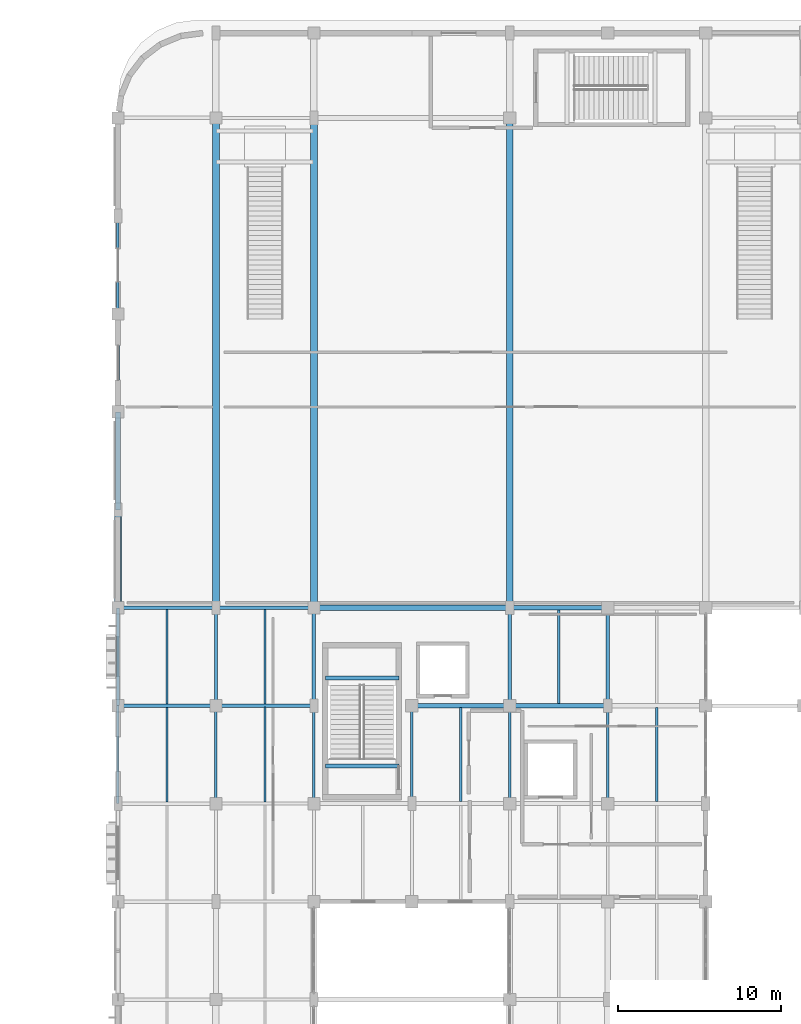
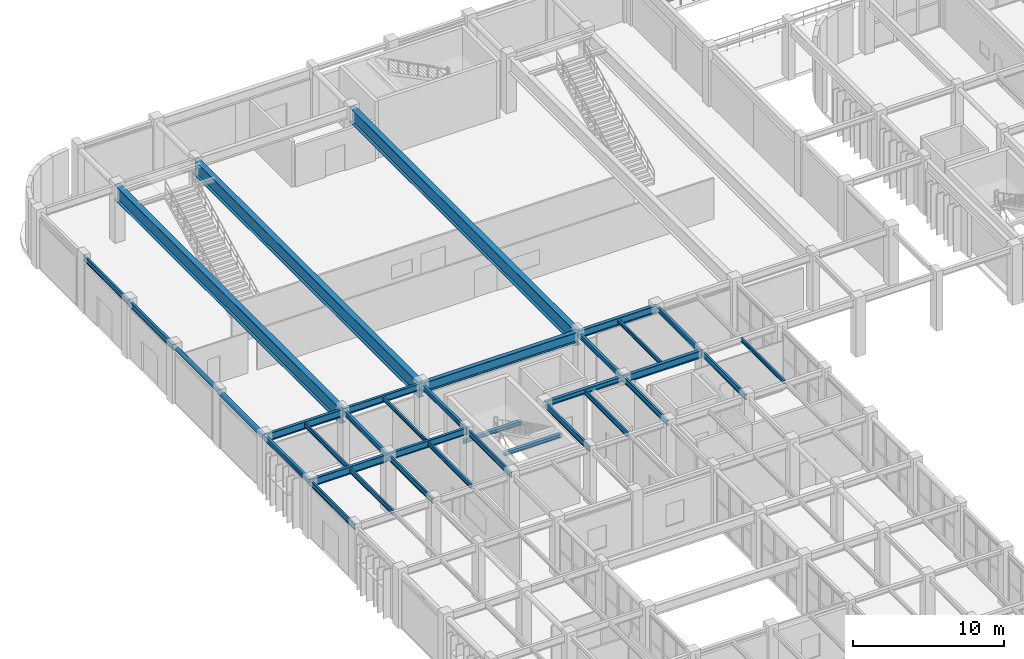
# One storey, part 21 of 76: 35 beams.
"""IFC4 building model written with IfcOpenShell, lengths in metres."""

from ifc_helpers import new_model, si_unit, direction, frame, origin, origin_2d, place, context, subcontext, project, spatial, hollow_circle, i_section, extrude, material, material_profile, profile_set, type_object, element, save


model = new_model("IFC4")

# Units and contexts
model_context = context("Model", 3, precision=1e-05, world=origin(), true_north=direction((0.0, 1.0)))
body_context = subcontext(model_context, "Body", "Model", "MODEL_VIEW")
ifc_project = project(units=[si_unit("LENGTHUNIT", "METRE"), si_unit("AREAUNIT", "SQUARE_METRE"), si_unit("VOLUMEUNIT", "CUBIC_METRE"), si_unit("PLANEANGLEUNIT", "RADIAN"), si_unit("MASSUNIT", "GRAM", prefix="KILO")], contexts=[model_context])

# Site, building, storey
site_placement = place(None, origin())
site = spatial("IfcSite", under=ifc_project, at=site_placement, CompositionType="ELEMENT")
building_placement = place(site_placement, origin())
building = spatial("IfcBuilding", under=site, at=building_placement, Name="Varnakota Square Police Headquarters", CompositionType="ELEMENT")
storey_placement = place(building_placement, origin())
storey = spatial("IfcBuildingStorey", under=building, at=storey_placement, Name="L00", CompositionType="ELEMENT", Elevation=0.0)

# Beams
ifc_material = material(Name="Steel IS 2062 Grade 350", Category="steel")
ifc_material_profile_1 = material_profile(ifc_material, hollow_circle(Radius=0.161865234375, WallThickness=0.0126953125, at=origin_2d()), Name="CHS 323.9x12.7")
ifc_profile_set_1 = profile_set([ifc_material_profile_1], Name="Steel IS 2062 Grade 350")
beam_type_1 = type_object("IfcBeamType", Name="BM-ARC-CHS324", PredefinedType="BEAM", material=ifc_profile_set_1)
beam_1_placement = place(storey_placement, frame((6.0, 81.0, 4.337890625), z_axis=(0.0, 1.0, 0.0), x_axis=(-1.0, 0.0, 0.0)))
element("IfcBeam", 1, at=beam_1_placement, inside=storey, type_object=beam_type_1, Name="BMG-L00-0944", PredefinedType="BEAM", context=body_context, shape_type="SweptSolid", body=[
    extrude(hollow_circle(Radius=0.161865234375, WallThickness=0.0126953125, at=origin_2d()), origin(), (0.0, 0.0, 1.0), 6.0),
])
ifc_material_profile_2 = material_profile(ifc_material, hollow_circle(Radius=0.203125, WallThickness=0.01611328125, at=origin_2d()), Name="CHS 406.4x16.0")
ifc_profile_set_2 = profile_set([ifc_material_profile_2], Name="Steel IS 2062 Grade 350")
beam_type_2 = type_object("IfcBeamType", Name="BM-ARC-CHS406", PredefinedType="BEAM", material=ifc_profile_set_2)
beam_2_placement = place(storey_placement, frame((6.0, 75.0, 4.296875), z_axis=(0.0, 1.0, 0.0), x_axis=(-1.0, 0.0, 0.0)))
element("IfcBeam", 2, at=beam_2_placement, inside=storey, type_object=beam_type_2, Name="BMG-L00-0943", PredefinedType="BEAM", context=body_context, shape_type="SweptSolid", body=[
    extrude(hollow_circle(Radius=0.203125, WallThickness=0.01611328125, at=origin_2d()), origin(), (0.0, 0.0, 1.0), 6.0),
])
ifc_material_profile_3 = material_profile(ifc_material, i_section(OverallWidth=0.419921875, OverallDepth=1.199951171875, WebThickness=0.02197265625, FlangeThickness=0.034912109375, at=origin_2d()), Name="BPG 1200x420")
ifc_profile_set_3 = profile_set([ifc_material_profile_3], Name="Steel IS 2062 Grade 350")
beam_type_3 = type_object("IfcBeamType", Name="BM-BPG1200", PredefinedType="BEAM", material=ifc_profile_set_3)
for number, where, z_axis, x_axis, name in (
    (3, (12.0, 75.0, 3.89990234375), (0.0, 1.0, 0.0), (-1.0, 0.0, 0.0), "Clear-span hall girder L00 X=12"),
    (4, (18.0, 75.0, 3.89990234375), (0.0, 1.0, 0.0), (-1.0, 0.0, 0.0), "Clear-span hall girder L00 X=18"),
    (5, (30.0, 75.0, 3.89990234375), (0.0, 1.0, 0.0), (-1.0, 0.0, 0.0), "Clear-span hall girder L00 X=30"),
):
    element("IfcBeam", number, at=place(storey_placement, frame(where, z_axis=z_axis, x_axis=x_axis)), inside=storey, type_object=beam_type_3, Name=name, PredefinedType="BEAM", context=body_context, shape_type="SweptSolid", body=[
        extrude(i_section(OverallWidth=0.419921875, OverallDepth=1.199951171875, WebThickness=0.02197265625, FlangeThickness=0.034912109375, at=origin_2d()), origin(), (0.0, 0.0, 1.0), 30.0),
    ])
ifc_material_profile_4 = material_profile(ifc_material, i_section(OverallWidth=0.320068359375, OverallDepth=0.800048828125, WebThickness=0.01611328125, FlangeThickness=0.028076171875, at=origin_2d()), Name="BPG 800x320")
ifc_profile_set_4 = profile_set([ifc_material_profile_4], Name="Steel IS 2062 Grade 350")
beam_type_4 = type_object("IfcBeamType", Name="BM-BPG800", PredefinedType="BEAM", material=ifc_profile_set_4)
beam_3_placement = place(storey_placement, frame((18.0, 75.0, 4.10009765625), z_axis=(1.0, 0.0, 0.0), x_axis=(0.0, 1.0, 0.0)))
element("IfcBeam", 6, at=beam_3_placement, inside=storey, type_object=beam_type_4, Name="BMG-L00-0842", PredefinedType="BEAM", context=body_context, shape_type="SweptSolid", body=[
    extrude(i_section(OverallWidth=0.320068359375, OverallDepth=0.800048828125, WebThickness=0.01611328125, FlangeThickness=0.028076171875, at=origin_2d()), origin(), (0.0, 0.0, 1.0), 12.0),
])
ifc_material_profile_5 = material_profile(ifc_material, i_section(OverallWidth=0.25, OverallDepth=0.300048828125, WebThickness=0.009521484375, FlangeThickness=0.010498046875, FilletRadius=0.011962890625, at=origin_2d()), Name="ISHB 300")
ifc_profile_set_5 = profile_set([ifc_material_profile_5], Name="Steel IS 2062 Grade 350")
beam_type_5 = type_object("IfcBeamType", Name="BM-ISHB300", PredefinedType="BEAM", material=ifc_profile_set_5)
for number, where, z_axis, x_axis, name in (
    (7, (18.699951171875, 70.70068359375, 2.092041015625), (1.0, 0.0, 0.0), (0.0, 1.0, 0.0), "Stair landing support beam BM-LND-0059"),
    (8, (18.699951171875, 65.300048828125, 4.35009765625), (1.0, 0.0, 0.0), (0.0, 1.0, 0.0), "Stair landing support beam BM-LND-0060"),
):
    element("IfcBeam", number, at=place(storey_placement, frame(where, z_axis=z_axis, x_axis=x_axis)), inside=storey, type_object=beam_type_5, Name=name, PredefinedType="BEAM", context=body_context, shape_type="SweptSolid", body=[
        extrude(i_section(OverallWidth=0.25, OverallDepth=0.300048828125, WebThickness=0.009521484375, FlangeThickness=0.010498046875, FilletRadius=0.011962890625, at=origin_2d()), origin(), (0.0, 0.0, 1.0), 4.5),
    ])
ifc_material_profile_6 = material_profile(ifc_material, i_section(OverallWidth=0.25, OverallDepth=0.39990234375, WebThickness=0.010498046875, FlangeThickness=0.0126953125, FilletRadius=0.013916015625, at=origin_2d()), Name="ISHB 400")
ifc_profile_set_6 = profile_set([ifc_material_profile_6], Name="Steel IS 2062 Grade 350")
beam_type_6 = type_object("IfcBeamType", Name="BM-ISHB400", PredefinedType="BEAM", material=ifc_profile_set_6)
beam_4_placement = place(storey_placement, frame((24.0, 69.0, 4.300048828125), z_axis=(1.0, 0.0, 0.0), x_axis=(0.0, 1.0, 0.0)))
element("IfcBeam", 9, at=beam_4_placement, inside=storey, type_object=beam_type_6, Name="BMG-L00-0817", PredefinedType="BEAM", context=body_context, shape_type="SweptSolid", body=[
    extrude(i_section(OverallWidth=0.25, OverallDepth=0.39990234375, WebThickness=0.010498046875, FlangeThickness=0.0126953125, FilletRadius=0.013916015625, at=origin_2d()), origin(), (0.0, 0.0, 1.0), 6.0),
])
ifc_material_profile_7 = material_profile(ifc_material, i_section(OverallWidth=0.139892578125, OverallDepth=0.300048828125, WebThickness=0.0078125, FlangeThickness=0.01318359375, FilletRadius=0.013916015625, at=origin_2d()), Name="ISMB 300")
ifc_profile_set_7 = profile_set([ifc_material_profile_7], Name="Steel IS 2062 Grade 350")
beam_type_7 = type_object("IfcBeamType", Name="BM-ISMB300", PredefinedType="JOIST", material=ifc_profile_set_7)
beam_5_placement = place(storey_placement, frame((15.0, 69.093017578125, 4.35009765625), z_axis=(0.0, 1.0, 0.0), x_axis=(-1.0, 0.0, 0.0)))
element("IfcBeam", 10, at=beam_5_placement, inside=storey, type_object=beam_type_7, Name="BMG-L00-1197", PredefinedType="JOIST", context=body_context, shape_type="SweptSolid", body=[
    extrude(i_section(OverallWidth=0.139892578125, OverallDepth=0.300048828125, WebThickness=0.0078125, FlangeThickness=0.01318359375, FilletRadius=0.013916015625, at=origin_2d()), origin(), (0.0, 0.0, 1.0), 5.81396484375),
])
for number, where, z_axis, x_axis, name in (
    (11, (33.0, 69.123046875, 4.35009765625), (0.0, 1.0, 0.0), (-1.0, 0.0, 0.0), "BMG-L00-1223"),
    (12, (39.0, 63.123046875, 4.35009765625), (0.0, 1.0, 0.0), (-1.0, 0.0, 0.0), "BMG-L00-1234"),
):
    element("IfcBeam", number, at=place(storey_placement, frame(where, z_axis=z_axis, x_axis=x_axis)), inside=storey, type_object=beam_type_7, Name=name, PredefinedType="JOIST", context=body_context, shape_type="SweptSolid", body=[
        extrude(i_section(OverallWidth=0.139892578125, OverallDepth=0.300048828125, WebThickness=0.0078125, FlangeThickness=0.01318359375, FilletRadius=0.013916015625, at=origin_2d()), origin(), (0.0, 0.0, 1.0), 5.75390625),
    ])
ifc_material_profile_8 = material_profile(ifc_material, i_section(OverallWidth=0.139892578125, OverallDepth=0.35009765625, WebThickness=0.008056640625, FlangeThickness=0.01416015625, FilletRadius=0.013916015625, at=origin_2d()), Name="ISMB 350")
ifc_profile_set_8 = profile_set([ifc_material_profile_8], Name="Steel IS 2062 Grade 350")
beam_type_8 = type_object("IfcBeamType", Name="BM-ISMB350", PredefinedType="JOIST", material=ifc_profile_set_8)
beam_6_placement = place(storey_placement, frame((9.0, 69.10302734375, 4.324951171875), z_axis=(0.0, 1.0, 0.0), x_axis=(-1.0, 0.0, 0.0)))
element("IfcBeam", 13, at=beam_6_placement, inside=storey, type_object=beam_type_8, Name="BMG-L00-1186", PredefinedType="JOIST", context=body_context, shape_type="SweptSolid", body=[
    extrude(i_section(OverallWidth=0.139892578125, OverallDepth=0.35009765625, WebThickness=0.008056640625, FlangeThickness=0.01416015625, FilletRadius=0.013916015625, at=origin_2d()), origin(), (0.0, 0.0, 1.0), 5.7939453125),
])
beam_7_placement = place(storey_placement, frame((15.0, 63.093017578125, 4.324951171875), z_axis=(0.0, 1.0, 0.0), x_axis=(-1.0, 0.0, 0.0)))
element("IfcBeam", 14, at=beam_7_placement, inside=storey, type_object=beam_type_8, Name="BMG-L00-1196", PredefinedType="JOIST", context=body_context, shape_type="SweptSolid", body=[
    extrude(i_section(OverallWidth=0.139892578125, OverallDepth=0.35009765625, WebThickness=0.008056640625, FlangeThickness=0.01416015625, FilletRadius=0.013916015625, at=origin_2d()), origin(), (0.0, 0.0, 1.0), 5.81396484375),
])
ifc_material_profile_9 = material_profile(ifc_material, i_section(OverallWidth=0.139892578125, OverallDepth=0.39990234375, WebThickness=0.0087890625, FlangeThickness=0.01611328125, FilletRadius=0.013916015625, at=origin_2d()), Name="ISMB 400")
ifc_profile_set_9 = profile_set([ifc_material_profile_9], Name="Steel IS 2062 Grade 350")
beam_type_9 = type_object("IfcBeamType", Name="BM-ISMB400", PredefinedType="JOIST", material=ifc_profile_set_9)
beam_8_placement = place(storey_placement, frame((9.0, 63.10302734375, 4.300048828125), z_axis=(0.0, 1.0, 0.0), x_axis=(-1.0, 0.0, 0.0)))
element("IfcBeam", 15, at=beam_8_placement, inside=storey, type_object=beam_type_9, Name="BMG-L00-1185", PredefinedType="JOIST", context=body_context, shape_type="SweptSolid", body=[
    extrude(i_section(OverallWidth=0.139892578125, OverallDepth=0.39990234375, WebThickness=0.0087890625, FlangeThickness=0.01611328125, FilletRadius=0.013916015625, at=origin_2d()), origin(), (0.0, 0.0, 1.0), 5.7939453125),
])
beam_9_placement = place(storey_placement, frame((27.0, 63.123046875, 4.300048828125), z_axis=(0.0, 1.0, 0.0), x_axis=(-1.0, 0.0, 0.0)))
element("IfcBeam", 16, at=beam_9_placement, inside=storey, type_object=beam_type_9, Name="BMG-L00-1212", PredefinedType="JOIST", context=body_context, shape_type="SweptSolid", body=[
    extrude(i_section(OverallWidth=0.139892578125, OverallDepth=0.39990234375, WebThickness=0.0087890625, FlangeThickness=0.01611328125, FilletRadius=0.013916015625, at=origin_2d()), origin(), (0.0, 0.0, 1.0), 5.75390625),
])
ifc_material_profile_10 = material_profile(ifc_material, i_section(OverallWidth=0.14990234375, OverallDepth=0.449951171875, WebThickness=0.009521484375, FlangeThickness=0.017333984375, FilletRadius=0.014892578125, at=origin_2d()), Name="ISMB 450")
ifc_profile_set_10 = profile_set([ifc_material_profile_10], Name="Steel IS 2062 Grade 350")
beam_type_10 = type_object("IfcBeamType", Name="BM-ISMB450", PredefinedType="BEAM", material=ifc_profile_set_10)
for number, where, z_axis, x_axis, name in (
    (17, (6.0, 63.0, 4.27490234375), (0.0, 1.0, 0.0), (-1.0, 0.0, 0.0), "BMG-L00-0941"),
    (18, (6.0, 93.0, 4.27490234375), (0.0, 1.0, 0.0), (-1.0, 0.0, 0.0), "BMG-L00-0946"),
    (19, (12.0, 63.0, 4.27490234375), (0.0, 1.0, 0.0), (-1.0, 0.0, 0.0), "BMG-L00-0958"),
    (20, (18.0, 63.0, 4.27490234375), (0.0, 1.0, 0.0), (-1.0, 0.0, 0.0), "BMG-L00-0972"),
    (21, (24.0, 63.0, 4.27490234375), (0.0, 1.0, 0.0), (-1.0, 0.0, 0.0), "BMG-L00-0983"),
    (22, (30.0, 63.0, 4.27490234375), (0.0, 1.0, 0.0), (-1.0, 0.0, 0.0), "BMG-L00-0994"),
    (23, (36.0, 63.0, 4.27490234375), (0.0, 1.0, 0.0), (-1.0, 0.0, 0.0), "BMG-L00-1008"),
):
    element("IfcBeam", number, at=place(storey_placement, frame(where, z_axis=z_axis, x_axis=x_axis)), inside=storey, type_object=beam_type_10, Name=name, PredefinedType="BEAM", context=body_context, shape_type="SweptSolid", body=[
        extrude(i_section(OverallWidth=0.14990234375, OverallDepth=0.449951171875, WebThickness=0.009521484375, FlangeThickness=0.017333984375, FilletRadius=0.014892578125, at=origin_2d()), origin(), (0.0, 0.0, 1.0), 6.0),
    ])
ifc_material_profile_11 = material_profile(ifc_material, i_section(OverallWidth=0.179931640625, OverallDepth=0.5, WebThickness=0.01025390625, FlangeThickness=0.01708984375, FilletRadius=0.01708984375, at=origin_2d()), Name="ISMB 500")
ifc_profile_set_11 = profile_set([ifc_material_profile_11], Name="Steel IS 2062 Grade 350")
beam_type_11 = type_object("IfcBeamType", Name="BM-ISMB500", PredefinedType="BEAM", material=ifc_profile_set_11)
beam_10_placement = place(storey_placement, frame((6.0, 87.0, 4.25), z_axis=(0.0, 1.0, 0.0), x_axis=(-1.0, 0.0, 0.0)))
element("IfcBeam", 24, at=beam_10_placement, inside=storey, type_object=beam_type_11, Name="BMG-L00-0945", PredefinedType="BEAM", context=body_context, shape_type="SweptSolid", body=[
    extrude(i_section(OverallWidth=0.179931640625, OverallDepth=0.5, WebThickness=0.01025390625, FlangeThickness=0.01708984375, FilletRadius=0.01708984375, at=origin_2d()), origin(), (0.0, 0.0, 1.0), 6.0),
])
ifc_material_profile_12 = material_profile(ifc_material, i_section(OverallWidth=0.18994140625, OverallDepth=0.550048828125, WebThickness=0.01123046875, FlangeThickness=0.019287109375, FilletRadius=0.01806640625, at=origin_2d()), Name="ISMB 550")
ifc_profile_set_12 = profile_set([ifc_material_profile_12], Name="Steel IS 2062 Grade 350")
beam_type_12 = type_object("IfcBeamType", Name="BM-ISMB550", PredefinedType="BEAM", material=ifc_profile_set_12)
for number, where, z_axis, x_axis, name in (
    (25, (12.0, 69.0, 4.22509765625), (1.0, 0.0, 0.0), (0.0, 1.0, 0.0), "BMG-L00-0816"),
    (26, (12.0, 75.0, 4.22509765625), (1.0, 0.0, 0.0), (0.0, 1.0, 0.0), "BMG-L00-0841"),
):
    element("IfcBeam", number, at=place(storey_placement, frame(where, z_axis=z_axis, x_axis=x_axis)), inside=storey, type_object=beam_type_12, Name=name, PredefinedType="BEAM", context=body_context, shape_type="SweptSolid", body=[
        extrude(i_section(OverallWidth=0.18994140625, OverallDepth=0.550048828125, WebThickness=0.01123046875, FlangeThickness=0.019287109375, FilletRadius=0.01806640625, at=origin_2d()), origin(), (0.0, 0.0, 1.0), 6.0),
    ])
ifc_material_profile_13 = material_profile(ifc_material, i_section(OverallWidth=0.2099609375, OverallDepth=0.60009765625, WebThickness=0.011962890625, FlangeThickness=0.020751953125, FilletRadius=0.02001953125, at=origin_2d()), Name="ISMB 600")
ifc_profile_set_13 = profile_set([ifc_material_profile_13], Name="Steel IS 2062 Grade 350")
beam_type_13 = type_object("IfcBeamType", Name="BM-ISMB600", PredefinedType="BEAM", material=ifc_profile_set_13)
for number, where, z_axis, x_axis, name in (
    (27, (6.0, 69.0, 4.199951171875), (1.0, 0.0, 0.0), (0.0, 1.0, 0.0), "BMG-L00-0815"),
    (28, (6.0, 75.0, 4.199951171875), (1.0, 0.0, 0.0), (0.0, 1.0, 0.0), "BMG-L00-0840"),
):
    element("IfcBeam", number, at=place(storey_placement, frame(where, z_axis=z_axis, x_axis=x_axis)), inside=storey, type_object=beam_type_13, Name=name, PredefinedType="BEAM", context=body_context, shape_type="SweptSolid", body=[
        extrude(i_section(OverallWidth=0.2099609375, OverallDepth=0.60009765625, WebThickness=0.011962890625, FlangeThickness=0.020751953125, FilletRadius=0.02001953125, at=origin_2d()), origin(), (0.0, 0.0, 1.0), 6.0),
    ])
ifc_material_profile_14 = material_profile(ifc_material, i_section(OverallWidth=0.199951171875, OverallDepth=0.39990234375, WebThickness=0.008544921875, FlangeThickness=0.012939453125, FilletRadius=0.012939453125, at=origin_2d()), Name="ISWB 400")
ifc_profile_set_14 = profile_set([ifc_material_profile_14], Name="Steel IS 2062 Grade 350")
beam_type_14 = type_object("IfcBeamType", Name="BM-ISWB400", PredefinedType="BEAM", material=ifc_profile_set_14)
for number, where, z_axis, x_axis, name in (
    (29, (6.0, 69.0, 4.300048828125), (0.0, 1.0, 0.0), (-1.0, 0.0, 0.0), "BMG-L00-0942"),
    (30, (12.0, 69.0, 4.300048828125), (0.0, 1.0, 0.0), (-1.0, 0.0, 0.0), "BMG-L00-0959"),
    (31, (18.0, 69.0, 4.300048828125), (0.0, 1.0, 0.0), (-1.0, 0.0, 0.0), "BMG-L00-0973"),
    (32, (30.0, 69.0, 4.300048828125), (0.0, 1.0, 0.0), (-1.0, 0.0, 0.0), "BMG-L00-0995"),
    (33, (36.0, 69.0, 4.300048828125), (0.0, 1.0, 0.0), (-1.0, 0.0, 0.0), "BMG-L00-1009"),
):
    element("IfcBeam", number, at=place(storey_placement, frame(where, z_axis=z_axis, x_axis=x_axis)), inside=storey, type_object=beam_type_14, Name=name, PredefinedType="BEAM", context=body_context, shape_type="SweptSolid", body=[
        extrude(i_section(OverallWidth=0.199951171875, OverallDepth=0.39990234375, WebThickness=0.008544921875, FlangeThickness=0.012939453125, FilletRadius=0.012939453125, at=origin_2d()), origin(), (0.0, 0.0, 1.0), 6.0),
    ])
ifc_material_profile_15 = material_profile(ifc_material, i_section(OverallWidth=0.25, OverallDepth=0.60009765625, WebThickness=0.01171875, FlangeThickness=0.023681640625, FilletRadius=0.01708984375, at=origin_2d()), Name="ISWB 600")
ifc_profile_set_15 = profile_set([ifc_material_profile_15], Name="Steel IS 2062 Grade 350")
beam_type_15 = type_object("IfcBeamType", Name="BM-ISWB600", PredefinedType="BEAM", material=ifc_profile_set_15)
for number, where, z_axis, x_axis, name in (
    (34, (30.0, 69.0, 4.199951171875), (1.0, 0.0, 0.0), (0.0, 1.0, 0.0), "BMG-L00-0818"),
    (35, (30.0, 75.0, 4.199951171875), (1.0, 0.0, 0.0), (0.0, 1.0, 0.0), "BMG-L00-0843"),
):
    element("IfcBeam", number, at=place(storey_placement, frame(where, z_axis=z_axis, x_axis=x_axis)), inside=storey, type_object=beam_type_15, Name=name, PredefinedType="BEAM", context=body_context, shape_type="SweptSolid", body=[
        extrude(i_section(OverallWidth=0.25, OverallDepth=0.60009765625, WebThickness=0.01171875, FlangeThickness=0.023681640625, FilletRadius=0.01708984375, at=origin_2d()), origin(), (0.0, 0.0, 1.0), 6.0),
    ])

save(model, "model.ifc")
